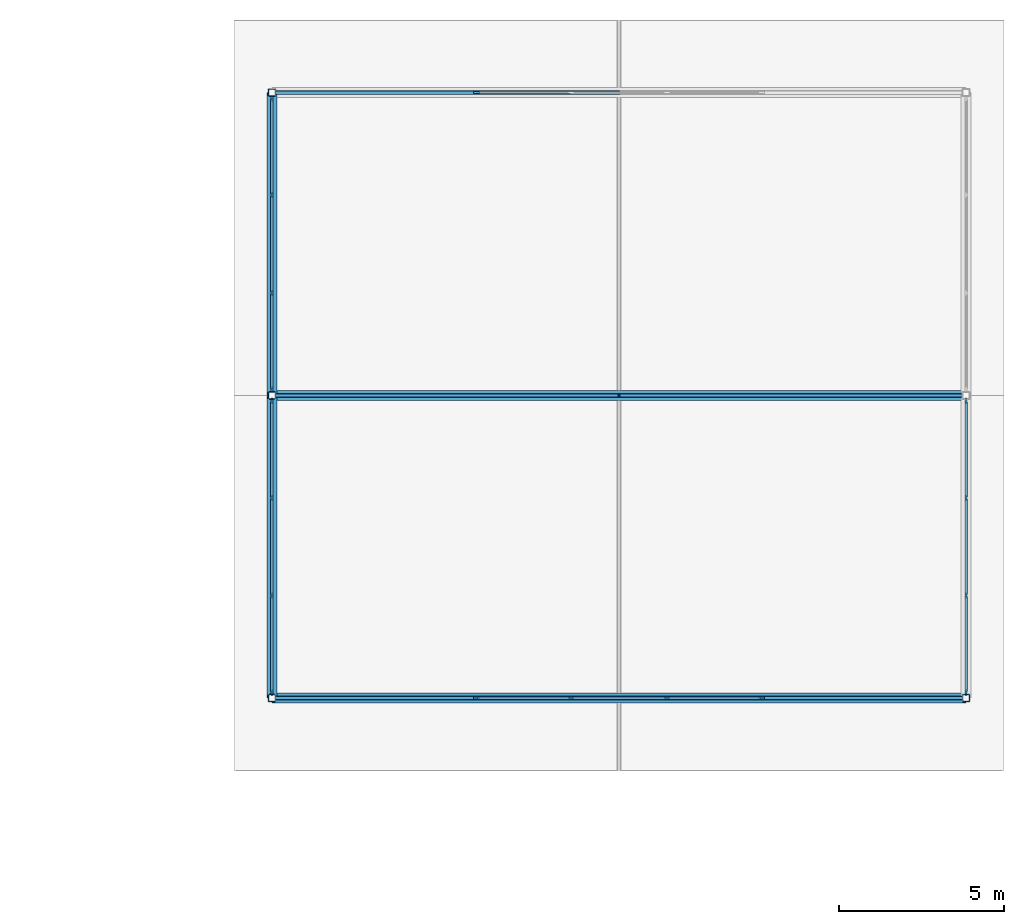
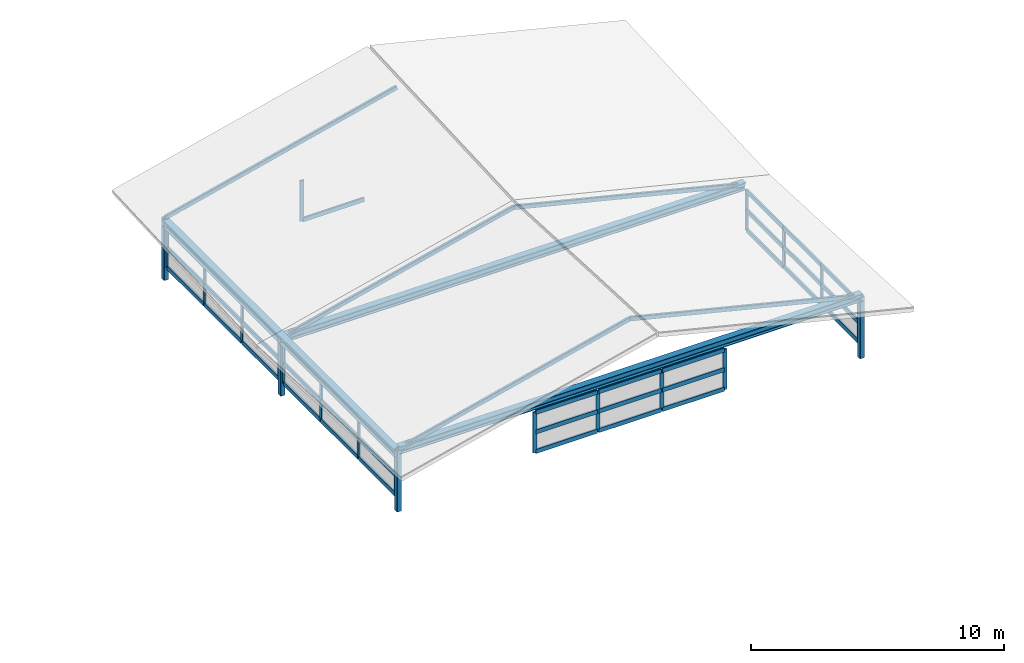
# One storey, part 27 of 42: 63 members, 3 beams, 5 elements without a shape of their own.
"""IFC4 building model written with IfcOpenShell, lengths in metres."""

from ifc_helpers import new_model, si_unit, direction, frame, origin, origin_2d, place, context, subcontext, project, spatial, rectangle, hollow_rectangle, i_section, extrude, material, material_profile, profile_set, type_object, element, aggregate, save


model = new_model("IFC4")

# Units and contexts
model_context = context("Model", 3, precision=1e-05, world=origin(), true_north=direction((0.0, 1.0)))
body_context = subcontext(model_context, "Body", "Model", "MODEL_VIEW")
ifc_project = project(units=[si_unit("LENGTHUNIT", "METRE"), si_unit("AREAUNIT", "SQUARE_METRE"), si_unit("VOLUMEUNIT", "CUBIC_METRE"), si_unit("PLANEANGLEUNIT", "RADIAN"), si_unit("MASSUNIT", "GRAM", prefix="KILO")], contexts=[model_context])

# Site, building, storey
site_placement = place(None, origin())
site = spatial("IfcSite", under=ifc_project, at=site_placement, CompositionType="ELEMENT")
building_placement = place(site_placement, origin())
building = spatial("IfcBuilding", under=site, at=building_placement, Name="Bozkorgan Art Gallery", CompositionType="ELEMENT")
storey_placement = place(building_placement, frame((0.0, 0.0, 28.800048828125)))
storey = spatial("IfcBuildingStorey", under=building, at=storey_placement, Name="RF", CompositionType="ELEMENT", Elevation=28.800048828125)

# Beams
ifc_material_1 = material(Name="Steel S355J2", Category="steel")
ifc_material_profile_1 = material_profile(ifc_material_1, i_section(OverallWidth=0.300048828125, OverallDepth=0.360107421875, WebThickness=0.012451171875, FlangeThickness=0.0224609375, FilletRadius=0.027099609375, at=origin_2d()), Name="HEB 360")
ifc_profile_set_1 = profile_set([ifc_material_profile_1], Name="Steel S355J2")
beam_type_1 = type_object("IfcBeamType", Name="BEAM-TB-47", PredefinedType="BEAM", material=ifc_profile_set_1)
for number, where, z_axis, x_axis, name in (
    (1, (76.949951171875, 56.800048828125, 1.6484375), (1.0, 0.0, 0.0), (0.0, 1.0, 0.0), "V4 stacked upper roof truss 1"),
    (2, (76.949951171875, 66.0, 1.436767578125), (1.0, 0.0, 0.0), (0.0, 1.0, 0.0), "V4 stacked upper roof truss 2"),
):
    element("IfcBeam", number, at=place(storey_placement, frame(where, z_axis=z_axis, x_axis=x_axis)), inside=storey, type_object=beam_type_1, Name=name, PredefinedType="BEAM", context=body_context, shape_type="SweptSolid", body=[
        extrude(i_section(OverallWidth=0.300048828125, OverallDepth=0.360107421875, WebThickness=0.012451171875, FlangeThickness=0.0224609375, FilletRadius=0.027099609375, at=origin_2d()), origin(), (0.0, 0.0, 1.0), 21.10009765625),
    ])
ifc_material_profile_2 = material_profile(ifc_material_1, i_section(OverallWidth=0.300048828125, OverallDepth=0.360107421875, WebThickness=0.012451171875, FlangeThickness=0.0224609375, FilletRadius=0.027099609375, at=origin_2d()), Name="HEB 360")
ifc_profile_set_2 = profile_set([ifc_material_profile_2], Name="Steel S355J2")
beam_type_2 = type_object("IfcBeamType", Name="BEAM-TO-26", PredefinedType="BEAM", material=ifc_profile_set_2)
beam_placement = place(storey_placement, frame((76.949951171875, 56.800048828125, 1.436767578125), z_axis=(0.0, 1.0, 0.0), x_axis=(-1.0, 0.0, 0.0)))
element("IfcBeam", 3, at=beam_placement, inside=storey, type_object=beam_type_2, Name="V4 stacked roof longitudinal tie 1", PredefinedType="BEAM", context=body_context, shape_type="SweptSolid", body=[
    extrude(i_section(OverallWidth=0.300048828125, OverallDepth=0.360107421875, WebThickness=0.012451171875, FlangeThickness=0.0224609375, FilletRadius=0.027099609375, at=origin_2d()), origin(), (0.0, 0.0, 1.0), 18.39990234375),
])

# Curtain wall, members
ifc_material_2 = material(Name="Anodised Bronze Aluminium", Category="aluminium")
curtain_wall_type_1 = type_object("IfcCurtainWallType", Name="CW-CW-50", PredefinedType="NOTDEFINED", material=ifc_material_2)
curtain_wall_1_placement = place(storey_placement, origin())
curtain_wall_1 = element("IfcCurtainWall", 4, at=curtain_wall_1_placement, inside=storey, type_object=curtain_wall_type_1, Name="RF unitised curtain wall CW-MON-ROOF-V4-MAIN-S-83", PredefinedType="NOTDEFINED")
ifc_material_profile_3 = material_profile(ifc_material_2, rectangle(XDim=0.06494140625, YDim=0.179931640625, at=origin_2d()), Name="ALU MULLION 65x180")
ifc_profile_set_3 = profile_set([ifc_material_profile_3], Name="Anodised Bronze Aluminium")
member_type_1 = type_object("IfcMemberType", Name="CWM-01", PredefinedType="MULLION", material=ifc_profile_set_3)
member_1_placement = place(storey_placement, frame((83.172607421875, 56.800048828125, -0.684814453125), z_axis=(0.0, 0.0, 1.0), x_axis=(0.0, 1.0, 0.0)))
member_1 = element("IfcMember", 5, at=member_1_placement, type_object=member_type_1, Name="CW-50 mullion 1", PredefinedType="MULLION", context=body_context, shape_type="SweptSolid", body=[
    extrude(rectangle(XDim=0.06494140625, YDim=0.179931640625, at=origin_2d()), origin(), (0.0, 0.0, 1.0), 1.95654296875),
])
member_2_placement = place(storey_placement, frame((86.046630859375, 56.800048828125, -0.684814453125), z_axis=(0.0, 0.0, 1.0), x_axis=(0.0, 1.0, 0.0)))
member_2 = element("IfcMember", 6, at=member_2_placement, type_object=member_type_1, Name="CW-50 mullion 2", PredefinedType="MULLION", context=body_context, shape_type="SweptSolid", body=[
    extrude(rectangle(XDim=0.06494140625, YDim=0.179931640625, at=origin_2d()), origin(), (0.0, 0.0, 1.0), 1.95654296875),
])
member_3_placement = place(storey_placement, frame((88.953369140625, 56.800048828125, -0.684814453125), z_axis=(0.0, 0.0, 1.0), x_axis=(0.0, 1.0, 0.0)))
member_3 = element("IfcMember", 7, at=member_3_placement, type_object=member_type_1, Name="CW-50 mullion 3", PredefinedType="MULLION", context=body_context, shape_type="SweptSolid", body=[
    extrude(rectangle(XDim=0.06494140625, YDim=0.179931640625, at=origin_2d()), origin(), (0.0, 0.0, 1.0), 1.95654296875),
])
member_4_placement = place(storey_placement, frame((91.827392578125, 56.800048828125, -0.684814453125), z_axis=(0.0, 0.0, 1.0), x_axis=(0.0, 1.0, 0.0)))
member_4 = element("IfcMember", 8, at=member_4_placement, type_object=member_type_1, Name="CW-50 mullion 4", PredefinedType="MULLION", context=body_context, shape_type="SweptSolid", body=[
    extrude(rectangle(XDim=0.06494140625, YDim=0.179931640625, at=origin_2d()), origin(), (0.0, 0.0, 1.0), 1.95654296875),
])

# Curtain wall, member
curtain_wall_2_placement = place(storey_placement, origin())
curtain_wall_2 = element("IfcCurtainWall", 9, at=curtain_wall_2_placement, inside=storey, type_object=curtain_wall_type_1, Name="RF unitised curtain wall CW-MON-ROOF-V4-MAIN-N-83", PredefinedType="NOTDEFINED")
member_5_placement = place(storey_placement, frame((83.172607421875, 75.199951171875, -0.684814453125), z_axis=(0.0, 0.0, 1.0), x_axis=(0.0, 1.0, 0.0)))
member_5 = element("IfcMember", 10, at=member_5_placement, type_object=member_type_1, Name="CW-50 mullion 1", PredefinedType="MULLION", context=body_context, shape_type="SweptSolid", body=[
    extrude(rectangle(XDim=0.06494140625, YDim=0.179931640625, at=origin_2d()), origin(), (0.0, 0.0, 1.0), 1.95654296875),
])

# Curtain wall, members
curtain_wall_type_2 = type_object("IfcCurtainWallType", Name="CW-CW-64", PredefinedType="NOTDEFINED", material=ifc_material_2)
curtain_wall_3_placement = place(storey_placement, origin())
curtain_wall_3 = element("IfcCurtainWall", 11, at=curtain_wall_3_placement, inside=storey, type_object=curtain_wall_type_2, Name="RF unitised curtain wall CW-MON-ROOF-V4-MAIN-W-56", PredefinedType="NOTDEFINED")
member_6_placement = place(storey_placement, frame((76.949951171875, 56.972412109375, -0.684814453125), z_axis=(0.0, 0.0, 1.0), x_axis=(-1.0, 0.0, 0.0)))
member_6 = element("IfcMember", 12, at=member_6_placement, type_object=member_type_1, Name="CW-64 mullion 1", PredefinedType="MULLION", context=body_context, shape_type="SweptSolid", body=[
    extrude(rectangle(XDim=0.06494140625, YDim=0.179931640625, at=origin_2d()), origin(), (0.0, 0.0, 1.0), 1.95654296875),
])
member_7_placement = place(storey_placement, frame((76.949951171875, 59.913330078125, -0.684814453125), z_axis=(0.0, 0.0, 1.0), x_axis=(-1.0, 0.0, 0.0)))
member_7 = element("IfcMember", 13, at=member_7_placement, type_object=member_type_1, Name="CW-64 mullion 2", PredefinedType="MULLION", context=body_context, shape_type="SweptSolid", body=[
    extrude(rectangle(XDim=0.06494140625, YDim=0.179931640625, at=origin_2d()), origin(), (0.0, 0.0, 1.0), 1.95654296875),
])
member_8_placement = place(storey_placement, frame((76.949951171875, 62.88671875, -0.684814453125), z_axis=(0.0, 0.0, 1.0), x_axis=(-1.0, 0.0, 0.0)))
member_8 = element("IfcMember", 14, at=member_8_placement, type_object=member_type_1, Name="CW-64 mullion 3", PredefinedType="MULLION", context=body_context, shape_type="SweptSolid", body=[
    extrude(rectangle(XDim=0.06494140625, YDim=0.179931640625, at=origin_2d()), origin(), (0.0, 0.0, 1.0), 1.95654296875),
])
member_9_placement = place(storey_placement, frame((76.949951171875, 65.827392578125, -0.684814453125), z_axis=(0.0, 0.0, 1.0), x_axis=(-1.0, 0.0, 0.0)))
member_9 = element("IfcMember", 15, at=member_9_placement, type_object=member_type_1, Name="CW-64 mullion 4", PredefinedType="MULLION", context=body_context, shape_type="SweptSolid", body=[
    extrude(rectangle(XDim=0.06494140625, YDim=0.179931640625, at=origin_2d()), origin(), (0.0, 0.0, 1.0), 1.95654296875),
])

curtain_wall_4_placement = place(storey_placement, origin())
curtain_wall_4 = element("IfcCurtainWall", 16, at=curtain_wall_4_placement, inside=storey, type_object=curtain_wall_type_2, Name="RF unitised curtain wall CW-MON-ROOF-V4-MAIN-E-56", PredefinedType="NOTDEFINED")
member_10_placement = place(storey_placement, frame((98.050048828125, 56.972412109375, -0.684814453125), z_axis=(0.0, 0.0, 1.0), x_axis=(-1.0, 0.0, 0.0)))
member_10 = element("IfcMember", 17, at=member_10_placement, type_object=member_type_1, Name="CW-64 mullion 1", PredefinedType="MULLION", context=body_context, shape_type="SweptSolid", body=[
    extrude(rectangle(XDim=0.06494140625, YDim=0.179931640625, at=origin_2d()), origin(), (0.0, 0.0, 1.0), 1.95654296875),
])
member_11_placement = place(storey_placement, frame((98.050048828125, 59.913330078125, -0.684814453125), z_axis=(0.0, 0.0, 1.0), x_axis=(-1.0, 0.0, 0.0)))
member_11 = element("IfcMember", 18, at=member_11_placement, type_object=member_type_1, Name="CW-64 mullion 2", PredefinedType="MULLION", context=body_context, shape_type="SweptSolid", body=[
    extrude(rectangle(XDim=0.06494140625, YDim=0.179931640625, at=origin_2d()), origin(), (0.0, 0.0, 1.0), 1.95654296875),
])
member_12_placement = place(storey_placement, frame((98.050048828125, 62.88671875, -0.684814453125), z_axis=(0.0, 0.0, 1.0), x_axis=(-1.0, 0.0, 0.0)))
member_12 = element("IfcMember", 19, at=member_12_placement, type_object=member_type_1, Name="CW-64 mullion 3", PredefinedType="MULLION", context=body_context, shape_type="SweptSolid", body=[
    extrude(rectangle(XDim=0.06494140625, YDim=0.179931640625, at=origin_2d()), origin(), (0.0, 0.0, 1.0), 1.95654296875),
])
member_13_placement = place(storey_placement, frame((98.050048828125, 65.827392578125, -0.684814453125), z_axis=(0.0, 0.0, 1.0), x_axis=(-1.0, 0.0, 0.0)))
member_13 = element("IfcMember", 20, at=member_13_placement, type_object=member_type_1, Name="CW-64 mullion 4", PredefinedType="MULLION", context=body_context, shape_type="SweptSolid", body=[
    extrude(rectangle(XDim=0.06494140625, YDim=0.179931640625, at=origin_2d()), origin(), (0.0, 0.0, 1.0), 1.95654296875),
])

curtain_wall_5_placement = place(storey_placement, origin())
curtain_wall_5 = element("IfcCurtainWall", 21, at=curtain_wall_5_placement, inside=storey, type_object=curtain_wall_type_2, Name="RF unitised curtain wall CW-MON-ROOF-V4-MAIN-W-66", PredefinedType="NOTDEFINED")
member_14_placement = place(storey_placement, frame((76.949951171875, 66.172607421875, -0.684814453125), z_axis=(0.0, 0.0, 1.0), x_axis=(-1.0, 0.0, 0.0)))
member_14 = element("IfcMember", 22, at=member_14_placement, type_object=member_type_1, Name="CW-64 mullion 1", PredefinedType="MULLION", context=body_context, shape_type="SweptSolid", body=[
    extrude(rectangle(XDim=0.06494140625, YDim=0.179931640625, at=origin_2d()), origin(), (0.0, 0.0, 1.0), 1.95654296875),
])
member_15_placement = place(storey_placement, frame((76.949951171875, 69.11328125, -0.684814453125), z_axis=(0.0, 0.0, 1.0), x_axis=(-1.0, 0.0, 0.0)))
member_15 = element("IfcMember", 23, at=member_15_placement, type_object=member_type_1, Name="CW-64 mullion 2", PredefinedType="MULLION", context=body_context, shape_type="SweptSolid", body=[
    extrude(rectangle(XDim=0.06494140625, YDim=0.179931640625, at=origin_2d()), origin(), (0.0, 0.0, 1.0), 1.95654296875),
])
member_16_placement = place(storey_placement, frame((76.949951171875, 72.086669921875, -0.684814453125), z_axis=(0.0, 0.0, 1.0), x_axis=(-1.0, 0.0, 0.0)))
member_16 = element("IfcMember", 24, at=member_16_placement, type_object=member_type_1, Name="CW-64 mullion 3", PredefinedType="MULLION", context=body_context, shape_type="SweptSolid", body=[
    extrude(rectangle(XDim=0.06494140625, YDim=0.179931640625, at=origin_2d()), origin(), (0.0, 0.0, 1.0), 1.95654296875),
])
member_17_placement = place(storey_placement, frame((76.949951171875, 75.027587890625, -0.684814453125), z_axis=(0.0, 0.0, 1.0), x_axis=(-1.0, 0.0, 0.0)))
member_17 = element("IfcMember", 25, at=member_17_placement, type_object=member_type_1, Name="CW-64 mullion 4", PredefinedType="MULLION", context=body_context, shape_type="SweptSolid", body=[
    extrude(rectangle(XDim=0.06494140625, YDim=0.179931640625, at=origin_2d()), origin(), (0.0, 0.0, 1.0), 1.95654296875),
])

# Member
ifc_material_profile_4 = material_profile(ifc_material_2, rectangle(XDim=0.080078125, YDim=0.199951171875, at=origin_2d()), Name="ALU TRANSOM 80x200")
ifc_profile_set_4 = profile_set([ifc_material_profile_4], Name="Anodised Bronze Aluminium")
member_type_2 = type_object("IfcMemberType", Name="CWT-03", PredefinedType="USERDEFINED", material=ifc_profile_set_4)
member_18_placement = place(storey_placement, frame((83.205078125, 56.800048828125, -0.644775390625), z_axis=(1.0, 0.0, 0.0), x_axis=(0.0, 1.0, 0.0)))
member_18 = element("IfcMember", 26, at=member_18_placement, type_object=member_type_2, Name="CW-50 transom 1.1", ObjectType="TRANSOM", PredefinedType="USERDEFINED", context=body_context, shape_type="SweptSolid", body=[
    extrude(rectangle(XDim=0.080078125, YDim=0.199951171875, at=origin_2d()), origin(), (0.0, 0.0, 1.0), 2.80908203125),
])

member_19_placement = place(storey_placement, frame((83.205078125, 56.800048828125, 0.29296875), z_axis=(1.0, 0.0, 0.0), x_axis=(0.0, 1.0, 0.0)))
member_19 = element("IfcMember", 27, at=member_19_placement, type_object=member_type_2, Name="CW-50 transom 1.2", ObjectType="TRANSOM", PredefinedType="USERDEFINED", context=body_context, shape_type="SweptSolid", body=[
    extrude(rectangle(XDim=0.080078125, YDim=0.199951171875, at=origin_2d()), origin(), (0.0, 0.0, 1.0), 2.80908203125),
])

member_20_placement = place(storey_placement, frame((83.205078125, 56.800048828125, 1.231689453125), z_axis=(1.0, 0.0, 0.0), x_axis=(0.0, 1.0, 0.0)))
member_20 = element("IfcMember", 28, at=member_20_placement, type_object=member_type_2, Name="CW-50 transom 1.3", ObjectType="TRANSOM", PredefinedType="USERDEFINED", context=body_context, shape_type="SweptSolid", body=[
    extrude(rectangle(XDim=0.080078125, YDim=0.199951171875, at=origin_2d()), origin(), (0.0, 0.0, 1.0), 2.80908203125),
])

member_21_placement = place(storey_placement, frame((86.0791015625, 56.800048828125, -0.644775390625), z_axis=(1.0, 0.0, 0.0), x_axis=(0.0, 1.0, 0.0)))
member_21 = element("IfcMember", 29, at=member_21_placement, type_object=member_type_2, Name="CW-50 transom 2.1", ObjectType="TRANSOM", PredefinedType="USERDEFINED", context=body_context, shape_type="SweptSolid", body=[
    extrude(rectangle(XDim=0.080078125, YDim=0.199951171875, at=origin_2d()), origin(), (0.0, 0.0, 1.0), 2.841796875),
])

member_22_placement = place(storey_placement, frame((86.0791015625, 56.800048828125, 0.29296875), z_axis=(1.0, 0.0, 0.0), x_axis=(0.0, 1.0, 0.0)))
member_22 = element("IfcMember", 30, at=member_22_placement, type_object=member_type_2, Name="CW-50 transom 2.2", ObjectType="TRANSOM", PredefinedType="USERDEFINED", context=body_context, shape_type="SweptSolid", body=[
    extrude(rectangle(XDim=0.080078125, YDim=0.199951171875, at=origin_2d()), origin(), (0.0, 0.0, 1.0), 2.841796875),
])

member_23_placement = place(storey_placement, frame((86.0791015625, 56.800048828125, 1.231689453125), z_axis=(1.0, 0.0, 0.0), x_axis=(0.0, 1.0, 0.0)))
member_23 = element("IfcMember", 31, at=member_23_placement, type_object=member_type_2, Name="CW-50 transom 2.3", ObjectType="TRANSOM", PredefinedType="USERDEFINED", context=body_context, shape_type="SweptSolid", body=[
    extrude(rectangle(XDim=0.080078125, YDim=0.199951171875, at=origin_2d()), origin(), (0.0, 0.0, 1.0), 2.841796875),
])

member_24_placement = place(storey_placement, frame((88.98583984375, 56.800048828125, -0.644775390625), z_axis=(1.0, 0.0, 0.0), x_axis=(0.0, 1.0, 0.0)))
member_24 = element("IfcMember", 32, at=member_24_placement, type_object=member_type_2, Name="CW-50 transom 3.1", ObjectType="TRANSOM", PredefinedType="USERDEFINED", context=body_context, shape_type="SweptSolid", body=[
    extrude(rectangle(XDim=0.080078125, YDim=0.199951171875, at=origin_2d()), origin(), (0.0, 0.0, 1.0), 2.80908203125),
])

member_25_placement = place(storey_placement, frame((88.98583984375, 56.800048828125, 0.29296875), z_axis=(1.0, 0.0, 0.0), x_axis=(0.0, 1.0, 0.0)))
member_25 = element("IfcMember", 33, at=member_25_placement, type_object=member_type_2, Name="CW-50 transom 3.2", ObjectType="TRANSOM", PredefinedType="USERDEFINED", context=body_context, shape_type="SweptSolid", body=[
    extrude(rectangle(XDim=0.080078125, YDim=0.199951171875, at=origin_2d()), origin(), (0.0, 0.0, 1.0), 2.80908203125),
])

member_26_placement = place(storey_placement, frame((88.98583984375, 56.800048828125, 1.231689453125), z_axis=(1.0, 0.0, 0.0), x_axis=(0.0, 1.0, 0.0)))
member_26 = element("IfcMember", 34, at=member_26_placement, type_object=member_type_2, Name="CW-50 transom 3.3", ObjectType="TRANSOM", PredefinedType="USERDEFINED", context=body_context, shape_type="SweptSolid", body=[
    extrude(rectangle(XDim=0.080078125, YDim=0.199951171875, at=origin_2d()), origin(), (0.0, 0.0, 1.0), 2.80908203125),
])

aggregate(curtain_wall_1, [member_1, member_2, member_3, member_4, member_18, member_19, member_20, member_21, member_22, member_23, member_24, member_25, member_26])

member_27_placement = place(storey_placement, frame((83.205078125, 75.199951171875, -0.644775390625), z_axis=(1.0, 0.0, 0.0), x_axis=(0.0, 1.0, 0.0)))
member_27 = element("IfcMember", 35, at=member_27_placement, type_object=member_type_2, Name="CW-50 transom 1.1", ObjectType="TRANSOM", PredefinedType="USERDEFINED", context=body_context, shape_type="SweptSolid", body=[
    extrude(rectangle(XDim=0.080078125, YDim=0.199951171875, at=origin_2d()), origin(), (0.0, 0.0, 1.0), 2.80908203125),
])

aggregate(curtain_wall_2, [member_5, member_27])

member_28_placement = place(storey_placement, frame((76.949951171875, 57.0048828125, -0.644775390625), z_axis=(0.0, 1.0, 0.0), x_axis=(-1.0, 0.0, 0.0)))
member_28 = element("IfcMember", 36, at=member_28_placement, type_object=member_type_2, Name="CW-64 transom 1.1", ObjectType="TRANSOM", PredefinedType="USERDEFINED", context=body_context, shape_type="SweptSolid", body=[
    extrude(rectangle(XDim=0.080078125, YDim=0.199951171875, at=origin_2d()), origin(), (0.0, 0.0, 1.0), 2.8759765625),
])

member_29_placement = place(storey_placement, frame((76.949951171875, 57.0048828125, 0.29296875), z_axis=(0.0, 1.0, 0.0), x_axis=(-1.0, 0.0, 0.0)))
member_29 = element("IfcMember", 37, at=member_29_placement, type_object=member_type_2, Name="CW-64 transom 1.2", ObjectType="TRANSOM", PredefinedType="USERDEFINED", context=body_context, shape_type="SweptSolid", body=[
    extrude(rectangle(XDim=0.080078125, YDim=0.199951171875, at=origin_2d()), origin(), (0.0, 0.0, 1.0), 2.8759765625),
])

member_30_placement = place(storey_placement, frame((76.949951171875, 57.0048828125, 1.231689453125), z_axis=(0.0, 1.0, 0.0), x_axis=(-1.0, 0.0, 0.0)))
member_30 = element("IfcMember", 38, at=member_30_placement, type_object=member_type_2, Name="CW-64 transom 1.3", ObjectType="TRANSOM", PredefinedType="USERDEFINED", context=body_context, shape_type="SweptSolid", body=[
    extrude(rectangle(XDim=0.080078125, YDim=0.199951171875, at=origin_2d()), origin(), (0.0, 0.0, 1.0), 2.8759765625),
])

member_31_placement = place(storey_placement, frame((76.949951171875, 59.94580078125, -0.644775390625), z_axis=(0.0, 1.0, 0.0), x_axis=(-1.0, 0.0, 0.0)))
member_31 = element("IfcMember", 39, at=member_31_placement, type_object=member_type_2, Name="CW-64 transom 2.1", ObjectType="TRANSOM", PredefinedType="USERDEFINED", context=body_context, shape_type="SweptSolid", body=[
    extrude(rectangle(XDim=0.080078125, YDim=0.199951171875, at=origin_2d()), origin(), (0.0, 0.0, 1.0), 2.908447265625),
])

member_32_placement = place(storey_placement, frame((76.949951171875, 59.94580078125, 0.29296875), z_axis=(0.0, 1.0, 0.0), x_axis=(-1.0, 0.0, 0.0)))
member_32 = element("IfcMember", 40, at=member_32_placement, type_object=member_type_2, Name="CW-64 transom 2.2", ObjectType="TRANSOM", PredefinedType="USERDEFINED", context=body_context, shape_type="SweptSolid", body=[
    extrude(rectangle(XDim=0.080078125, YDim=0.199951171875, at=origin_2d()), origin(), (0.0, 0.0, 1.0), 2.908447265625),
])

member_33_placement = place(storey_placement, frame((76.949951171875, 59.94580078125, 1.231689453125), z_axis=(0.0, 1.0, 0.0), x_axis=(-1.0, 0.0, 0.0)))
member_33 = element("IfcMember", 41, at=member_33_placement, type_object=member_type_2, Name="CW-64 transom 2.3", ObjectType="TRANSOM", PredefinedType="USERDEFINED", context=body_context, shape_type="SweptSolid", body=[
    extrude(rectangle(XDim=0.080078125, YDim=0.199951171875, at=origin_2d()), origin(), (0.0, 0.0, 1.0), 2.908447265625),
])

member_34_placement = place(storey_placement, frame((76.949951171875, 62.919189453125, -0.644775390625), z_axis=(0.0, 1.0, 0.0), x_axis=(-1.0, 0.0, 0.0)))
member_34 = element("IfcMember", 42, at=member_34_placement, type_object=member_type_2, Name="CW-64 transom 3.1", ObjectType="TRANSOM", PredefinedType="USERDEFINED", context=body_context, shape_type="SweptSolid", body=[
    extrude(rectangle(XDim=0.080078125, YDim=0.199951171875, at=origin_2d()), origin(), (0.0, 0.0, 1.0), 2.875732421875),
])

member_35_placement = place(storey_placement, frame((76.949951171875, 62.919189453125, 0.29296875), z_axis=(0.0, 1.0, 0.0), x_axis=(-1.0, 0.0, 0.0)))
member_35 = element("IfcMember", 43, at=member_35_placement, type_object=member_type_2, Name="CW-64 transom 3.2", ObjectType="TRANSOM", PredefinedType="USERDEFINED", context=body_context, shape_type="SweptSolid", body=[
    extrude(rectangle(XDim=0.080078125, YDim=0.199951171875, at=origin_2d()), origin(), (0.0, 0.0, 1.0), 2.875732421875),
])

member_36_placement = place(storey_placement, frame((76.949951171875, 62.919189453125, 1.231689453125), z_axis=(0.0, 1.0, 0.0), x_axis=(-1.0, 0.0, 0.0)))
member_36 = element("IfcMember", 44, at=member_36_placement, type_object=member_type_2, Name="CW-64 transom 3.3", ObjectType="TRANSOM", PredefinedType="USERDEFINED", context=body_context, shape_type="SweptSolid", body=[
    extrude(rectangle(XDim=0.080078125, YDim=0.199951171875, at=origin_2d()), origin(), (0.0, 0.0, 1.0), 2.875732421875),
])

aggregate(curtain_wall_3, [member_6, member_7, member_8, member_9, member_28, member_29, member_30, member_31, member_32, member_33, member_34, member_35, member_36])

member_37_placement = place(storey_placement, frame((98.050048828125, 57.0048828125, -0.644775390625), z_axis=(0.0, 1.0, 0.0), x_axis=(-1.0, 0.0, 0.0)))
member_37 = element("IfcMember", 45, at=member_37_placement, type_object=member_type_2, Name="CW-64 transom 1.1", ObjectType="TRANSOM", PredefinedType="USERDEFINED", context=body_context, shape_type="SweptSolid", body=[
    extrude(rectangle(XDim=0.080078125, YDim=0.199951171875, at=origin_2d()), origin(), (0.0, 0.0, 1.0), 2.8759765625),
])

member_38_placement = place(storey_placement, frame((98.050048828125, 57.0048828125, 0.29296875), z_axis=(0.0, 1.0, 0.0), x_axis=(-1.0, 0.0, 0.0)))
member_38 = element("IfcMember", 46, at=member_38_placement, type_object=member_type_2, Name="CW-64 transom 1.2", ObjectType="TRANSOM", PredefinedType="USERDEFINED", context=body_context, shape_type="SweptSolid", body=[
    extrude(rectangle(XDim=0.080078125, YDim=0.199951171875, at=origin_2d()), origin(), (0.0, 0.0, 1.0), 2.8759765625),
])

member_39_placement = place(storey_placement, frame((98.050048828125, 57.0048828125, 1.231689453125), z_axis=(0.0, 1.0, 0.0), x_axis=(-1.0, 0.0, 0.0)))
member_39 = element("IfcMember", 47, at=member_39_placement, type_object=member_type_2, Name="CW-64 transom 1.3", ObjectType="TRANSOM", PredefinedType="USERDEFINED", context=body_context, shape_type="SweptSolid", body=[
    extrude(rectangle(XDim=0.080078125, YDim=0.199951171875, at=origin_2d()), origin(), (0.0, 0.0, 1.0), 2.8759765625),
])

member_40_placement = place(storey_placement, frame((98.050048828125, 59.94580078125, -0.644775390625), z_axis=(0.0, 1.0, 0.0), x_axis=(-1.0, 0.0, 0.0)))
member_40 = element("IfcMember", 48, at=member_40_placement, type_object=member_type_2, Name="CW-64 transom 2.1", ObjectType="TRANSOM", PredefinedType="USERDEFINED", context=body_context, shape_type="SweptSolid", body=[
    extrude(rectangle(XDim=0.080078125, YDim=0.199951171875, at=origin_2d()), origin(), (0.0, 0.0, 1.0), 2.908447265625),
])

member_41_placement = place(storey_placement, frame((98.050048828125, 59.94580078125, 0.29296875), z_axis=(0.0, 1.0, 0.0), x_axis=(-1.0, 0.0, 0.0)))
member_41 = element("IfcMember", 49, at=member_41_placement, type_object=member_type_2, Name="CW-64 transom 2.2", ObjectType="TRANSOM", PredefinedType="USERDEFINED", context=body_context, shape_type="SweptSolid", body=[
    extrude(rectangle(XDim=0.080078125, YDim=0.199951171875, at=origin_2d()), origin(), (0.0, 0.0, 1.0), 2.908447265625),
])

member_42_placement = place(storey_placement, frame((98.050048828125, 59.94580078125, 1.231689453125), z_axis=(0.0, 1.0, 0.0), x_axis=(-1.0, 0.0, 0.0)))
member_42 = element("IfcMember", 50, at=member_42_placement, type_object=member_type_2, Name="CW-64 transom 2.3", ObjectType="TRANSOM", PredefinedType="USERDEFINED", context=body_context, shape_type="SweptSolid", body=[
    extrude(rectangle(XDim=0.080078125, YDim=0.199951171875, at=origin_2d()), origin(), (0.0, 0.0, 1.0), 2.908447265625),
])

member_43_placement = place(storey_placement, frame((98.050048828125, 62.919189453125, -0.644775390625), z_axis=(0.0, 1.0, 0.0), x_axis=(-1.0, 0.0, 0.0)))
member_43 = element("IfcMember", 51, at=member_43_placement, type_object=member_type_2, Name="CW-64 transom 3.1", ObjectType="TRANSOM", PredefinedType="USERDEFINED", context=body_context, shape_type="SweptSolid", body=[
    extrude(rectangle(XDim=0.080078125, YDim=0.199951171875, at=origin_2d()), origin(), (0.0, 0.0, 1.0), 2.875732421875),
])

member_44_placement = place(storey_placement, frame((98.050048828125, 62.919189453125, 0.29296875), z_axis=(0.0, 1.0, 0.0), x_axis=(-1.0, 0.0, 0.0)))
member_44 = element("IfcMember", 52, at=member_44_placement, type_object=member_type_2, Name="CW-64 transom 3.2", ObjectType="TRANSOM", PredefinedType="USERDEFINED", context=body_context, shape_type="SweptSolid", body=[
    extrude(rectangle(XDim=0.080078125, YDim=0.199951171875, at=origin_2d()), origin(), (0.0, 0.0, 1.0), 2.875732421875),
])

member_45_placement = place(storey_placement, frame((98.050048828125, 62.919189453125, 1.231689453125), z_axis=(0.0, 1.0, 0.0), x_axis=(-1.0, 0.0, 0.0)))
member_45 = element("IfcMember", 53, at=member_45_placement, type_object=member_type_2, Name="CW-64 transom 3.3", ObjectType="TRANSOM", PredefinedType="USERDEFINED", context=body_context, shape_type="SweptSolid", body=[
    extrude(rectangle(XDim=0.080078125, YDim=0.199951171875, at=origin_2d()), origin(), (0.0, 0.0, 1.0), 2.875732421875),
])

aggregate(curtain_wall_4, [member_10, member_11, member_12, member_13, member_37, member_38, member_39, member_40, member_41, member_42, member_43, member_44, member_45])

member_46_placement = place(storey_placement, frame((76.949951171875, 66.205078125, -0.644775390625), z_axis=(0.0, 1.0, 0.0), x_axis=(-1.0, 0.0, 0.0)))
member_46 = element("IfcMember", 54, at=member_46_placement, type_object=member_type_2, Name="CW-64 transom 1.1", ObjectType="TRANSOM", PredefinedType="USERDEFINED", context=body_context, shape_type="SweptSolid", body=[
    extrude(rectangle(XDim=0.080078125, YDim=0.199951171875, at=origin_2d()), origin(), (0.0, 0.0, 1.0), 2.875732421875),
])

member_47_placement = place(storey_placement, frame((76.949951171875, 66.205078125, 0.29296875), z_axis=(0.0, 1.0, 0.0), x_axis=(-1.0, 0.0, 0.0)))
member_47 = element("IfcMember", 55, at=member_47_placement, type_object=member_type_2, Name="CW-64 transom 1.2", ObjectType="TRANSOM", PredefinedType="USERDEFINED", context=body_context, shape_type="SweptSolid", body=[
    extrude(rectangle(XDim=0.080078125, YDim=0.199951171875, at=origin_2d()), origin(), (0.0, 0.0, 1.0), 2.875732421875),
])

member_48_placement = place(storey_placement, frame((76.949951171875, 66.205078125, 1.231689453125), z_axis=(0.0, 1.0, 0.0), x_axis=(-1.0, 0.0, 0.0)))
member_48 = element("IfcMember", 56, at=member_48_placement, type_object=member_type_2, Name="CW-64 transom 1.3", ObjectType="TRANSOM", PredefinedType="USERDEFINED", context=body_context, shape_type="SweptSolid", body=[
    extrude(rectangle(XDim=0.080078125, YDim=0.199951171875, at=origin_2d()), origin(), (0.0, 0.0, 1.0), 2.875732421875),
])

member_49_placement = place(storey_placement, frame((76.949951171875, 69.145751953125, -0.644775390625), z_axis=(0.0, 1.0, 0.0), x_axis=(-1.0, 0.0, 0.0)))
member_49 = element("IfcMember", 57, at=member_49_placement, type_object=member_type_2, Name="CW-64 transom 2.1", ObjectType="TRANSOM", PredefinedType="USERDEFINED", context=body_context, shape_type="SweptSolid", body=[
    extrude(rectangle(XDim=0.080078125, YDim=0.199951171875, at=origin_2d()), origin(), (0.0, 0.0, 1.0), 2.908447265625),
])

member_50_placement = place(storey_placement, frame((76.949951171875, 69.145751953125, 0.29296875), z_axis=(0.0, 1.0, 0.0), x_axis=(-1.0, 0.0, 0.0)))
member_50 = element("IfcMember", 58, at=member_50_placement, type_object=member_type_2, Name="CW-64 transom 2.2", ObjectType="TRANSOM", PredefinedType="USERDEFINED", context=body_context, shape_type="SweptSolid", body=[
    extrude(rectangle(XDim=0.080078125, YDim=0.199951171875, at=origin_2d()), origin(), (0.0, 0.0, 1.0), 2.908447265625),
])

member_51_placement = place(storey_placement, frame((76.949951171875, 69.145751953125, 1.231689453125), z_axis=(0.0, 1.0, 0.0), x_axis=(-1.0, 0.0, 0.0)))
member_51 = element("IfcMember", 59, at=member_51_placement, type_object=member_type_2, Name="CW-64 transom 2.3", ObjectType="TRANSOM", PredefinedType="USERDEFINED", context=body_context, shape_type="SweptSolid", body=[
    extrude(rectangle(XDim=0.080078125, YDim=0.199951171875, at=origin_2d()), origin(), (0.0, 0.0, 1.0), 2.908447265625),
])

member_52_placement = place(storey_placement, frame((76.949951171875, 72.119140625, -0.644775390625), z_axis=(0.0, 1.0, 0.0), x_axis=(-1.0, 0.0, 0.0)))
member_52 = element("IfcMember", 60, at=member_52_placement, type_object=member_type_2, Name="CW-64 transom 3.1", ObjectType="TRANSOM", PredefinedType="USERDEFINED", context=body_context, shape_type="SweptSolid", body=[
    extrude(rectangle(XDim=0.080078125, YDim=0.199951171875, at=origin_2d()), origin(), (0.0, 0.0, 1.0), 2.8759765625),
])

member_53_placement = place(storey_placement, frame((76.949951171875, 72.119140625, 0.29296875), z_axis=(0.0, 1.0, 0.0), x_axis=(-1.0, 0.0, 0.0)))
member_53 = element("IfcMember", 61, at=member_53_placement, type_object=member_type_2, Name="CW-64 transom 3.2", ObjectType="TRANSOM", PredefinedType="USERDEFINED", context=body_context, shape_type="SweptSolid", body=[
    extrude(rectangle(XDim=0.080078125, YDim=0.199951171875, at=origin_2d()), origin(), (0.0, 0.0, 1.0), 2.8759765625),
])

member_54_placement = place(storey_placement, frame((76.949951171875, 72.119140625, 1.231689453125), z_axis=(0.0, 1.0, 0.0), x_axis=(-1.0, 0.0, 0.0)))
member_54 = element("IfcMember", 62, at=member_54_placement, type_object=member_type_2, Name="CW-64 transom 3.3", ObjectType="TRANSOM", PredefinedType="USERDEFINED", context=body_context, shape_type="SweptSolid", body=[
    extrude(rectangle(XDim=0.080078125, YDim=0.199951171875, at=origin_2d()), origin(), (0.0, 0.0, 1.0), 2.8759765625),
])

aggregate(curtain_wall_5, [member_14, member_15, member_16, member_17, member_46, member_47, member_48, member_49, member_50, member_51, member_52, member_53, member_54])

# Members
ifc_material_profile_5 = material_profile(ifc_material_1, hollow_rectangle(XDim=0.219970703125, YDim=0.219970703125, WallThickness=0.012451171875, InnerFilletRadius=0.018798828125, OuterFilletRadius=0.03125, at=origin_2d()), Name="SHS 220x220x12.5")
ifc_profile_set_5 = profile_set([ifc_material_profile_5], Name="Steel S355J2")
member_type_3 = type_object("IfcMemberType", Name="MEMBER-CP-34", PredefinedType="POST", material=ifc_profile_set_5)
for number, where, z_axis, x_axis, name in (
    (63, (76.949951171875, 56.800048828125, -1.299072265625), (0.0, 0.0, 1.0), (1.0, 0.0, 0.0), "V4 upper clerestory truss post 1W"),
    (64, (98.050048828125, 56.800048828125, -1.299072265625), (0.0, 0.0, 1.0), (1.0, 0.0, 0.0), "V4 upper clerestory truss post 1E"),
):
    element("IfcMember", number, at=place(storey_placement, frame(where, z_axis=z_axis, x_axis=x_axis)), inside=storey, type_object=member_type_3, Name=name, PredefinedType="POST", context=body_context, shape_type="SweptSolid", body=[
        extrude(hollow_rectangle(XDim=0.219970703125, YDim=0.219970703125, WallThickness=0.012451171875, InnerFilletRadius=0.018798828125, OuterFilletRadius=0.03125, at=origin_2d()), origin(), (0.0, 0.0, 1.0), 2.947509765625),
    ])
member_55_placement = place(storey_placement, frame((76.949951171875, 66.0, -1.299072265625), z_axis=(0.0, 0.0, 1.0), x_axis=(1.0, 0.0, 0.0)))
element("IfcMember", 65, at=member_55_placement, inside=storey, type_object=member_type_3, Name="V4 upper clerestory truss post 2W", PredefinedType="POST", context=body_context, shape_type="SweptSolid", body=[
    extrude(hollow_rectangle(XDim=0.219970703125, YDim=0.219970703125, WallThickness=0.012451171875, InnerFilletRadius=0.018798828125, OuterFilletRadius=0.03125, at=origin_2d()), origin(), (0.0, 0.0, 1.0), 2.73583984375),
])
member_56_placement = place(storey_placement, frame((76.949951171875, 75.199951171875, -1.299072265625), z_axis=(0.0, 0.0, 1.0), x_axis=(1.0, 0.0, 0.0)))
element("IfcMember", 66, at=member_56_placement, inside=storey, type_object=member_type_3, Name="V4 upper clerestory truss post 3W", PredefinedType="POST", context=body_context, shape_type="SweptSolid", body=[
    extrude(hollow_rectangle(XDim=0.219970703125, YDim=0.219970703125, WallThickness=0.012451171875, InnerFilletRadius=0.018798828125, OuterFilletRadius=0.03125, at=origin_2d()), origin(), (0.0, 0.0, 1.0), 2.947509765625),
])
ifc_material_profile_6 = material_profile(ifc_material_1, hollow_rectangle(XDim=0.1201171875, YDim=0.199951171875, WallThickness=0.008056640625, InnerFilletRadius=0.011962890625, OuterFilletRadius=0.02001953125, at=origin_2d()), Name="RHS 200x120x8")
ifc_profile_set_6 = profile_set([ifc_material_profile_6], Name="Steel S355J2")
member_type_4 = type_object("IfcMemberType", Name="MEMBER-TC-48", PredefinedType="CHORD", material=ifc_profile_set_6)
for number, where, z_axis, x_axis, name in (
    (67, (76.949951171875, 56.800048828125, 1.6484375), (0.971134961, 0.0, 0.238530684656), (0.0, 1.0, 0.0), "V4 stacked upper west chord 1"),
    (68, (87.5, 56.800048828125, 4.23974609375), (0.971134961, 0.0, -0.238530684656), (0.0, 1.0, 0.0), "V4 stacked upper east chord 1"),
    (69, (76.949951171875, 66.0, 1.436767578125), (0.971134961, 0.0, 0.238530684656), (0.0, 1.0, 0.0), "V4 stacked upper west chord 2"),
    (70, (87.5, 66.0, 4.028076171875), (0.971134961, 0.0, -0.238530684656), (0.0, 1.0, 0.0), "V4 stacked upper east chord 2"),
    (71, (76.949951171875, 75.199951171875, 1.6484375), (0.971134961, 0.0, 0.238530684656), (0.0, 1.0, 0.0), "V4 stacked upper west chord 3"),
):
    element("IfcMember", number, at=place(storey_placement, frame(where, z_axis=z_axis, x_axis=x_axis)), inside=storey, type_object=member_type_4, Name=name, PredefinedType="CHORD", context=body_context, shape_type="SweptSolid", body=[
        extrude(hollow_rectangle(XDim=0.1201171875, YDim=0.199951171875, WallThickness=0.008056640625, InnerFilletRadius=0.011962890625, OuterFilletRadius=0.02001953125, at=origin_2d()), origin(), (0.0, 0.0, 1.0), 10.863525390625),
    ])

save(model, "model.ifc")
